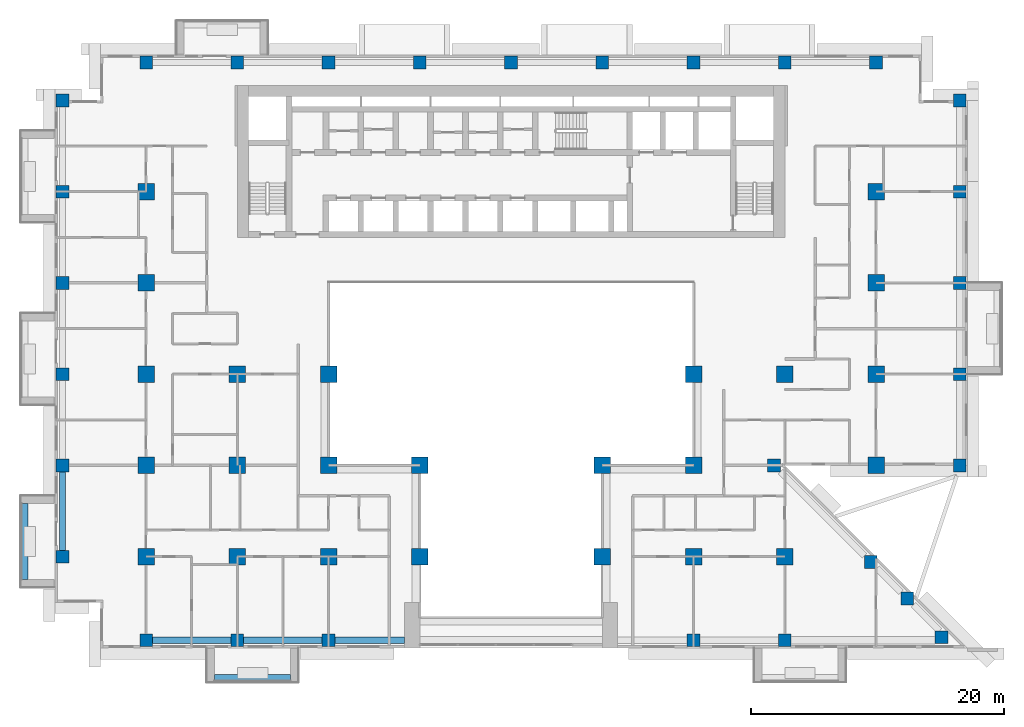
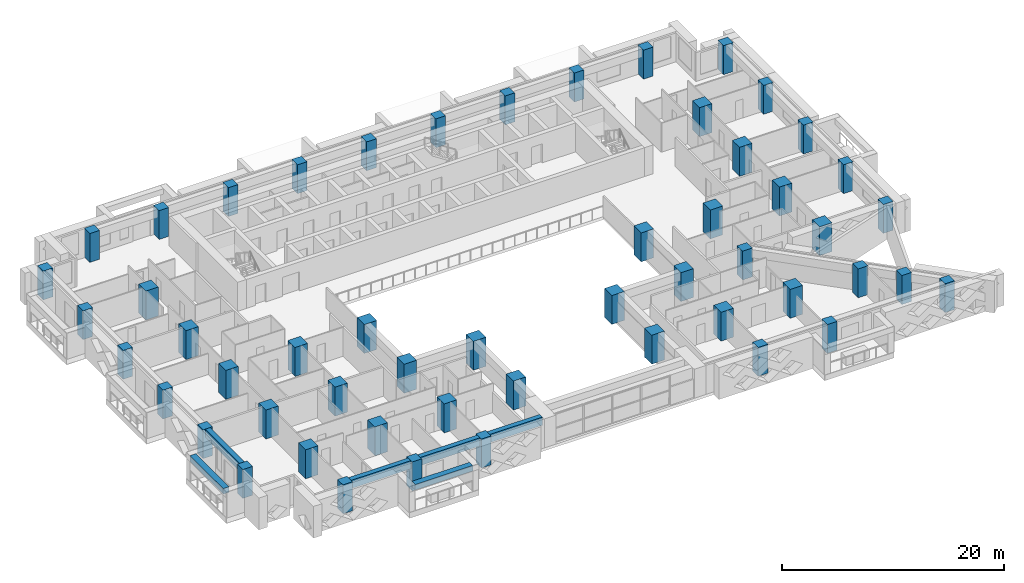
# One storey, part 1 of 17: 53 columns, 6 beams.
"""IFC4 building model written with IfcOpenShell, lengths in metres."""

from ifc_helpers import new_model, si_unit, direction, frame, origin, origin_2d, place, context, subcontext, project, spatial, rectangle, extrude, source, transform, mapped, material, material_profile, profile_set, type_object, element, save


model = new_model("IFC4")

# Units and contexts
model_context = context("Model", 3, precision=1e-05, world=origin(), true_north=direction((0.0, 1.0)))
body_context = subcontext(model_context, "Body", "Model", "MODEL_VIEW")
ifc_project = project(units=[si_unit("LENGTHUNIT", "METRE"), si_unit("AREAUNIT", "SQUARE_METRE"), si_unit("VOLUMEUNIT", "CUBIC_METRE"), si_unit("PLANEANGLEUNIT", "RADIAN"), si_unit("MASSUNIT", "GRAM", prefix="KILO")], contexts=[model_context])

# Site, building, storey
site_placement = place(None, origin())
site = spatial("IfcSite", under=ifc_project, at=site_placement, CompositionType="ELEMENT")
building_placement = place(site_placement, origin())
building = spatial("IfcBuilding", under=site, at=building_placement, Name="Saffron Iwan Residences", CompositionType="ELEMENT")
storey_placement = place(building_placement, frame((0.0, 0.0, 86.5)))
storey = spatial("IfcBuildingStorey", under=building, at=storey_placement, Name="L22", CompositionType="ELEMENT", Elevation=86.5)

# Columns
ifc_material_1 = material(Name="Concrete C60/75", Category="concrete")
ifc_material_profile_1 = material_profile(ifc_material_1, rectangle(XDim=1.0, YDim=1.0, at=origin_2d()), Name="RC 1000x1000")
ifc_profile_set_1 = profile_set([ifc_material_profile_1], Name="Concrete C60/75")
column_type_1 = type_object("IfcColumnType", Name="COL RC 1000x1000 C60/75 3180 HIGH", PredefinedType="COLUMN", material=ifc_profile_set_1)
shared_shape_1 = source(origin(), body_context, "Body", "SweptSolid", [
    extrude(rectangle(XDim=1.0, YDim=1.0, at=origin_2d()), origin(), (0.0, 0.0, 1.0), 3.179931640625),
])
for number, where, z_axis, x_axis, name in (
    (1, (21.60009765625, 34.199951171875, 0.0), (0.0, 0.0, 1.0), (1.0, 0.0, 0.0), "Column C038"),
    (2, (28.800048828125, 34.199951171875, 0.0), (0.0, 0.0, 1.0), (1.0, 0.0, 0.0), "Column C039"),
    (3, (36.0, 34.199951171875, 0.0), (0.0, 0.0, 1.0), (1.0, 0.0, 0.0), "Column C040"),
    (4, (64.800048828125, 34.199951171875, 0.0), (0.0, 0.0, 1.0), (1.0, 0.0, 0.0), "Column C041"),
    (5, (72.0, 34.199951171875, 0.0), (0.0, 0.0, 1.0), (1.0, 0.0, 0.0), "Column C042"),
    (6, (84.367431640625, 34.44189453125, 0.0), (0.0, 0.0, 1.0), (1.0, 0.0, 0.0), "Column C043"),
    (7, (81.65576171875, 37.49560546875, 0.0), (0.0, 0.0, 1.0), (1.0, 0.0, 0.0), "Column C044"),
    (8, (78.775634765625, 40.375732421875, 0.0), (0.0, 0.0, 1.0), (1.0, 0.0, 0.0), "Column C047"),
    (9, (15.0, 40.800048828125, 0.0), (0.0, 0.0, 1.0), (1.0, 0.0, 0.0), "Column C048"),
    (10, (15.0, 48.0, 0.0), (0.0, 0.0, 1.0), (1.0, 0.0, 0.0), "Column C061"),
    (11, (71.14990234375, 48.0, 0.0), (0.0, 0.0, 1.0), (1.0, 0.0, 0.0), "Column C070"),
    (12, (85.800048828125, 48.0, 0.0), (0.0, 0.0, 1.0), (1.0, 0.0, 0.0), "Column C074"),
    (13, (15.0, 55.199951171875, 0.0), (0.0, 0.0, 1.0), (1.0, 0.0, 0.0), "Column C077"),
    (14, (85.800048828125, 55.199951171875, 0.0), (0.0, 0.0, 1.0), (1.0, 0.0, 0.0), "Column C086"),
    (15, (15.0, 62.39990234375, 0.0), (0.0, 0.0, 1.0), (1.0, 0.0, 0.0), "Column C089"),
    (16, (85.800048828125, 62.39990234375, 0.0), (0.0, 0.0, 1.0), (1.0, 0.0, 0.0), "Column C094"),
    (17, (15.0, 69.60009765625, 0.0), (0.0, 0.0, 1.0), (1.0, 0.0, 0.0), "Column C097"),
    (18, (85.800048828125, 69.60009765625, 0.0), (0.0, 0.0, 1.0), (1.0, 0.0, 0.0), "Column C102"),
    (19, (15.0, 76.800048828125, 0.0), (0.0, 0.0, 1.0), (1.0, 0.0, 0.0), "Column C105"),
    (20, (85.800048828125, 76.800048828125, 0.0), (0.0, 0.0, 1.0), (1.0, 0.0, 0.0), "Column C110"),
    (21, (21.60009765625, 79.800048828125, 0.0), (0.0, 0.0, 1.0), (1.0, 0.0, 0.0), "Column C113"),
    (22, (28.800048828125, 79.800048828125, 0.0), (0.0, 0.0, 1.0), (1.0, 0.0, 0.0), "Column C115"),
    (23, (36.0, 79.800048828125, 0.0), (0.0, 0.0, 1.0), (1.0, 0.0, 0.0), "Column C116"),
    (24, (43.199951171875, 79.800048828125, 0.0), (0.0, 0.0, 1.0), (1.0, 0.0, 0.0), "Column C117"),
    (25, (50.39990234375, 79.800048828125, 0.0), (0.0, 0.0, 1.0), (1.0, 0.0, 0.0), "Column C118"),
    (26, (57.60009765625, 79.800048828125, 0.0), (0.0, 0.0, 1.0), (1.0, 0.0, 0.0), "Column C119"),
    (27, (64.800048828125, 79.800048828125, 0.0), (0.0, 0.0, 1.0), (1.0, 0.0, 0.0), "Column C120"),
    (28, (72.0, 79.800048828125, 0.0), (0.0, 0.0, 1.0), (1.0, 0.0, 0.0), "Column C121"),
    (29, (79.199951171875, 79.800048828125, 0.0), (0.0, 0.0, 1.0), (1.0, 0.0, 0.0), "Column C123"),
):
    element("IfcColumn", number, at=place(storey_placement, frame(where, z_axis=z_axis, x_axis=x_axis)), inside=storey, type_object=column_type_1, Name=name, PredefinedType="COLUMN", context=body_context, shape_type="MappedRepresentation", body=[
        mapped(shared_shape_1, transform((0.0, 0.0, 0.0))),
    ])
ifc_material_profile_2 = material_profile(ifc_material_1, rectangle(XDim=1.300048828125, YDim=1.300048828125, at=origin_2d()), Name="RC 1300x1300")
ifc_profile_set_2 = profile_set([ifc_material_profile_2], Name="Concrete C60/75")
column_type_2 = type_object("IfcColumnType", Name="COL RC 1300x1300 C60/75 3180 HIGH", PredefinedType="COLUMN", material=ifc_profile_set_2)
shared_shape_2 = source(origin(), body_context, "Body", "SweptSolid", [
    extrude(rectangle(XDim=1.300048828125, YDim=1.300048828125, at=origin_2d()), origin(), (0.0, 0.0, 1.0), 3.179931640625),
])
for number, where, z_axis, x_axis, name in (
    (30, (21.60009765625, 40.800048828125, 0.0), (0.0, 0.0, 1.0), (1.0, 0.0, 0.0), "Column C049"),
    (31, (28.800048828125, 40.800048828125, 0.0), (0.0, 0.0, 1.0), (1.0, 0.0, 0.0), "Column C051"),
    (32, (36.0, 40.800048828125, 0.0), (0.0, 0.0, 1.0), (1.0, 0.0, 0.0), "Column C052"),
    (33, (43.199951171875, 40.800048828125, 0.0), (0.0, 0.0, 1.0), (1.0, 0.0, 0.0), "Column C053"),
    (34, (57.60009765625, 40.800048828125, 0.0), (0.0, 0.0, 1.0), (1.0, 0.0, 0.0), "Column C054"),
    (35, (64.800048828125, 40.800048828125, 0.0), (0.0, 0.0, 1.0), (1.0, 0.0, 0.0), "Column C055"),
    (36, (72.0, 40.800048828125, 0.0), (0.0, 0.0, 1.0), (1.0, 0.0, 0.0), "Column C056"),
    (37, (21.60009765625, 48.0, 0.0), (0.0, 0.0, 1.0), (1.0, 0.0, 0.0), "Column C063"),
    (38, (28.800048828125, 48.0, 0.0), (0.0, 0.0, 1.0), (1.0, 0.0, 0.0), "Column C064"),
    (39, (36.0, 48.0, 0.0), (0.0, 0.0, 1.0), (1.0, 0.0, 0.0), "Column C065"),
    (40, (43.199951171875, 48.0, 0.0), (0.0, 0.0, 1.0), (1.0, 0.0, 0.0), "Column C066"),
    (41, (57.60009765625, 48.0, 0.0), (0.0, 0.0, 1.0), (1.0, 0.0, 0.0), "Column C068"),
    (42, (64.800048828125, 48.0, 0.0), (0.0, 0.0, 1.0), (1.0, 0.0, 0.0), "Column C069"),
    (43, (79.199951171875, 48.0, 0.0), (0.0, 0.0, 1.0), (1.0, 0.0, 0.0), "Column C072"),
    (44, (21.60009765625, 55.199951171875, 0.0), (0.0, 0.0, 1.0), (1.0, 0.0, 0.0), "Column C079"),
    (45, (28.800048828125, 55.199951171875, 0.0), (0.0, 0.0, 1.0), (1.0, 0.0, 0.0), "Column C080"),
    (46, (36.0, 55.199951171875, 0.0), (0.0, 0.0, 1.0), (1.0, 0.0, 0.0), "Column C081"),
    (47, (64.800048828125, 55.199951171875, 0.0), (0.0, 0.0, 1.0), (1.0, 0.0, 0.0), "Column C082"),
    (48, (72.0, 55.199951171875, 0.0), (0.0, 0.0, 1.0), (1.0, 0.0, 0.0), "Column C083"),
    (49, (79.199951171875, 55.199951171875, 0.0), (0.0, 0.0, 1.0), (1.0, 0.0, 0.0), "Column C084"),
    (50, (21.60009765625, 62.39990234375, 0.0), (0.0, 0.0, 1.0), (1.0, 0.0, 0.0), "Column C091"),
    (51, (79.199951171875, 62.39990234375, 0.0), (0.0, 0.0, 1.0), (1.0, 0.0, 0.0), "Column C092"),
    (52, (21.60009765625, 69.60009765625, 0.0), (0.0, 0.0, 1.0), (1.0, 0.0, 0.0), "Column C099"),
    (53, (79.199951171875, 69.60009765625, 0.0), (0.0, 0.0, 1.0), (1.0, 0.0, 0.0), "Column C100"),
):
    element("IfcColumn", number, at=place(storey_placement, frame(where, z_axis=z_axis, x_axis=x_axis)), inside=storey, type_object=column_type_2, Name=name, PredefinedType="COLUMN", context=body_context, shape_type="MappedRepresentation", body=[
        mapped(shared_shape_2, transform((0.0, 0.0, 0.0))),
    ])

# Beams
ifc_material_profile_3 = material_profile(ifc_material_1, rectangle(XDim=0.5, YDim=0.89990234375, at=origin_2d()), Name="RC 500x900")
ifc_profile_set_3 = profile_set([ifc_material_profile_3], Name="Concrete C60/75")
beam_type_1 = type_object("IfcBeamType", Name="SPANDREL BEAM RC 500x900 C60/75 TOP 3180", PredefinedType="SPANDREL", material=ifc_profile_set_3)
shared_shape_3 = source(origin(), body_context, "Body", "SweptSolid", [
    extrude(rectangle(XDim=0.5, YDim=0.89990234375, at=origin_2d()), origin(), (0.0, 0.0, 1.0), 6.199951171875),
])
for number, where, z_axis, x_axis, name in (
    (54, (28.300048828125, 34.199951171875, 2.72998046875), (-1.0, 0.0, 0.0), (0.0, -1.0, 0.0), "Spandrel beam"),
    (55, (35.5, 34.199951171875, 2.72998046875), (-1.0, 0.0, 0.0), (0.0, -1.0, 0.0), "Spandrel beam"),
    (56, (15.0, 41.300048828125, 2.72998046875), (0.0, 1.0, 0.0), (-1.0, 0.0, 0.0), "Spandrel beam"),
):
    element("IfcBeam", number, at=place(storey_placement, frame(where, z_axis=z_axis, x_axis=x_axis)), inside=storey, type_object=beam_type_1, Name=name, PredefinedType="SPANDREL", context=body_context, shape_type="MappedRepresentation", body=[
        mapped(shared_shape_3, transform((0.0, 0.0, 0.0))),
    ])
shared_shape_4 = source(origin(), body_context, "Body", "SweptSolid", [
    extrude(rectangle(XDim=0.5, YDim=0.89990234375, at=origin_2d()), origin(), (0.0, 0.0, 1.0), 5.5),
])
beam_placement = place(storey_placement, frame((42.0, 34.199951171875, 2.72998046875), z_axis=(-1.0, 0.0, 0.0), x_axis=(0.0, -1.0, 0.0)))
element("IfcBeam", 57, at=beam_placement, inside=storey, type_object=beam_type_1, Name="Spandrel beam", PredefinedType="SPANDREL", context=body_context, shape_type="MappedRepresentation", body=[
    mapped(shared_shape_4, transform((0.0, 0.0, 0.0))),
])
ifc_material_2 = material(Name="Concrete C50/60 white painted", Category="concrete")
ifc_material_profile_4 = material_profile(ifc_material_2, rectangle(XDim=0.60009765625, YDim=0.60009765625, at=origin_2d()), Name="BALCONY FASCIA BEAM 600 x 600")
ifc_profile_set_4 = profile_set([ifc_material_profile_4], Name="Concrete C50/60 white painted")
beam_type_2 = type_object("IfcBeamType", Name="BALCONY FASCIA BEAM 600 x 600", PredefinedType="BEAM", material=ifc_profile_set_4)
shared_shape_5 = source(origin(), body_context, "Body", "SweptSolid", [
    extrude(rectangle(XDim=0.60009765625, YDim=0.60009765625, at=origin_2d()), origin(), (0.0, 0.0, 1.0), 6.0),
])
for number, where, z_axis, x_axis, name in (
    (58, (12.0, 45.0, 2.550048828125), (0.0, -1.0, 0.0), (1.0, 0.0, 0.0), "Balcony fascia beam L22 F8-2"),
    (59, (27.0, 31.199951171875, 2.550048828125), (1.0, 0.0, 0.0), (0.0, 1.0, 0.0), "Balcony fascia beam L22 11-0"),
):
    element("IfcBeam", number, at=place(storey_placement, frame(where, z_axis=z_axis, x_axis=x_axis)), inside=storey, type_object=beam_type_2, Name=name, PredefinedType="BEAM", context=body_context, shape_type="MappedRepresentation", body=[
        mapped(shared_shape_5, transform((0.0, 0.0, 0.0))),
    ])

save(model, "model.ifc")
